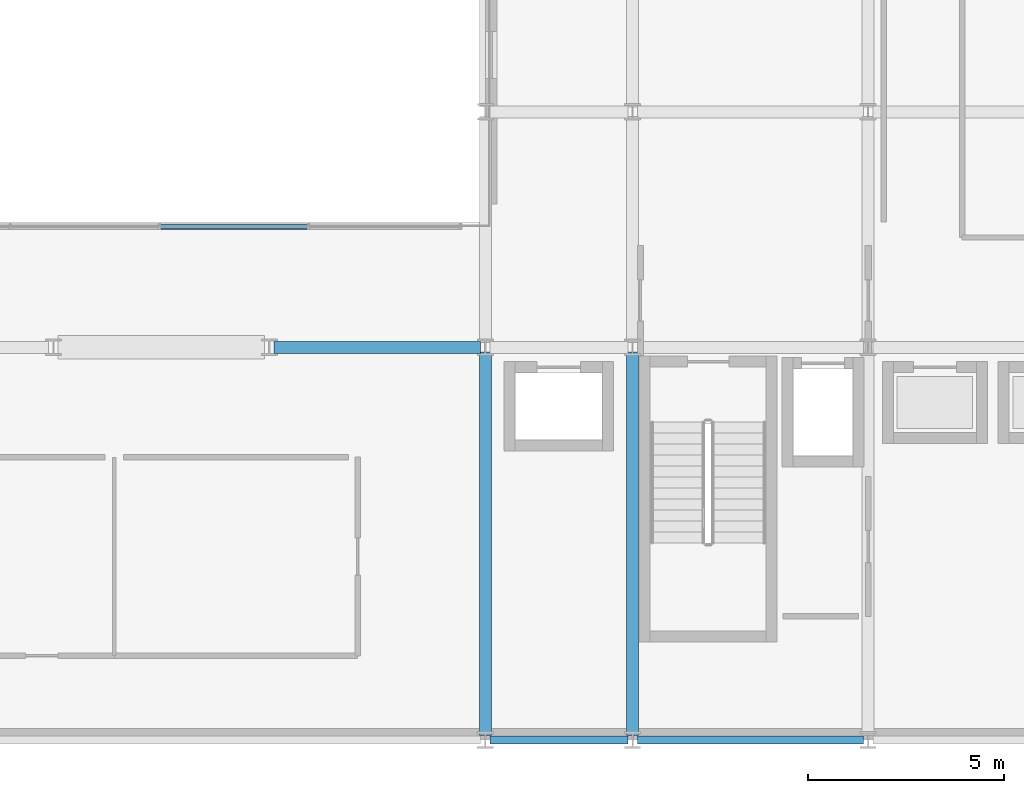
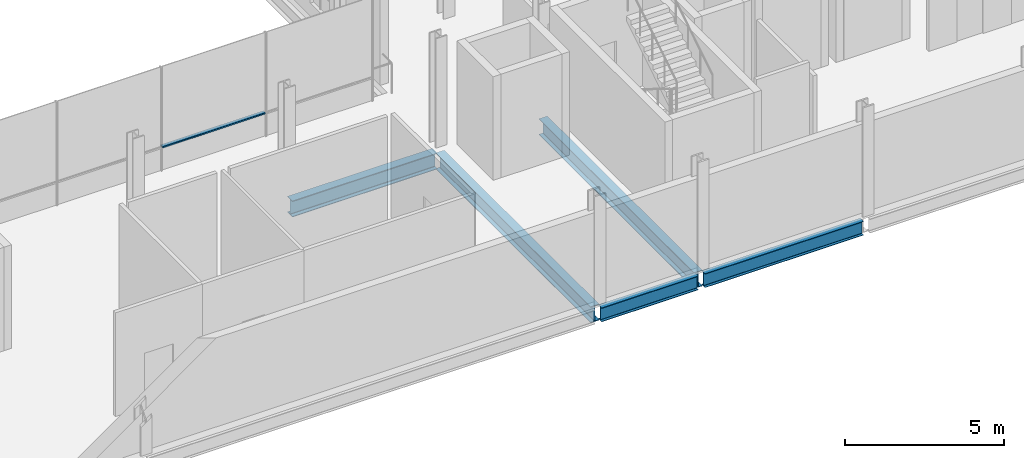
# One storey, part 12 of 32: 5 beams, 1 member, 1 element without a shape of its own.
"""IFC4 building model written with IfcOpenShell, lengths in metres."""

from ifc_helpers import new_model, si_unit, direction, frame, origin, origin_2d, place, context, subcontext, project, spatial, hollow_rectangle, i_section, extrude, material, layer, layer_set, material_profile, profile_set, type_object, element, aggregate, save


model = new_model("IFC4")

# Units and contexts
model_context = context("Model", 3, precision=1e-05, world=origin(), true_north=direction((0.0, 1.0)))
body_context = subcontext(model_context, "Body", "Model", "MODEL_VIEW")
ifc_project = project(units=[si_unit("LENGTHUNIT", "METRE"), si_unit("AREAUNIT", "SQUARE_METRE"), si_unit("VOLUMEUNIT", "CUBIC_METRE"), si_unit("PLANEANGLEUNIT", "RADIAN"), si_unit("MASSUNIT", "GRAM", prefix="KILO")], contexts=[model_context])

# Site, building, storey
site_placement = place(None, origin())
site = spatial("IfcSite", under=ifc_project, at=site_placement, CompositionType="ELEMENT")
building_placement = place(site_placement, origin())
building = spatial("IfcBuilding", under=site, at=building_placement, Name="Brevholm Reach", CompositionType="ELEMENT")
storey_placement = place(building_placement, frame((0.0, 0.0, 134.5)))
storey = spatial("IfcBuildingStorey", under=building, at=storey_placement, Name="L40", CompositionType="ELEMENT", Elevation=134.5)

# Beams
ifc_material_1 = material(Name="Structural Steel S355J2", Category="steel")
ifc_material_profile_1 = material_profile(ifc_material_1, i_section(OverallWidth=0.210693359375, OverallDepth=0.53955078125, WebThickness=0.01171875, FlangeThickness=0.018798828125, FilletRadius=0.0126953125, at=origin_2d()), Name="UKB 533x210x109")
ifc_profile_set_1 = profile_set([ifc_material_profile_1], Name="Structural Steel S355J2")
beam_type_1 = type_object("IfcBeamType", Name="BM-SP539", PredefinedType="SPANDREL", material=ifc_profile_set_1)
beam_1_placement = place(storey_placement, frame((38.3701171875, 0.0, -0.519775390625), z_axis=(1.0, 0.0, 0.0), x_axis=(0.0, 1.0, 0.0)))
element("IfcBeam", 1, at=beam_1_placement, inside=storey, type_object=beam_type_1, Name="L40 SP-01B Framing Beam", PredefinedType="SPANDREL", context=body_context, shape_type="SweptSolid", body=[
    extrude(i_section(OverallWidth=0.210693359375, OverallDepth=0.53955078125, WebThickness=0.01171875, FlangeThickness=0.018798828125, FilletRadius=0.0126953125, at=origin_2d()), origin(), (0.0, 0.0, 1.0), 3.509765625),
])
beam_2_placement = place(storey_placement, frame((42.1201171875, 0.0, -0.519775390625), z_axis=(1.0, 0.0, 0.0), x_axis=(0.0, 1.0, 0.0)))
element("IfcBeam", 2, at=beam_2_placement, inside=storey, type_object=beam_type_1, Name="L40 SP-01B Framing Beam", PredefinedType="SPANDREL", context=body_context, shape_type="SweptSolid", body=[
    extrude(i_section(OverallWidth=0.210693359375, OverallDepth=0.53955078125, WebThickness=0.01171875, FlangeThickness=0.018798828125, FilletRadius=0.0126953125, at=origin_2d()), origin(), (0.0, 0.0, 1.0), 5.759765625),
])
ifc_material_2 = material(Name="Structural Steel S355J2", Category="steel")
ifc_material_profile_2 = material_profile(ifc_material_2, i_section(OverallWidth=0.30712890625, OverallDepth=0.6201171875, WebThickness=0.01416015625, FlangeThickness=0.023681640625, FilletRadius=0.0166015625, at=origin_2d()), Name="UKB 610x305x179")
ifc_profile_set_2 = profile_set([ifc_material_profile_2], Name="Structural Steel S355J2")
beam_type_2 = type_object("IfcBeamType", Name="BM-UKB610H", PredefinedType="USERDEFINED", material=ifc_profile_set_2)
beam_3_placement = place(storey_placement, frame((32.8701171875, 10.0, -0.56005859375), z_axis=(1.0, 0.0, 0.0), x_axis=(0.0, 1.0, 0.0)))
element("IfcBeam", 3, at=beam_3_placement, inside=storey, type_object=beam_type_2, Name="L40 G-06 Framing Beam", ObjectType="GIRDER", PredefinedType="USERDEFINED", context=body_context, shape_type="SweptSolid", body=[
    extrude(i_section(OverallWidth=0.30712890625, OverallDepth=0.6201171875, WebThickness=0.01416015625, FlangeThickness=0.023681640625, FilletRadius=0.0166015625, at=origin_2d()), origin(), (0.0, 0.0, 1.0), 5.259765625),
])
for number, where, z_axis, x_axis, name in (
    (4, (38.25, 0.1201171875, -0.56005859375), (0.0, 1.0, 0.0), (-1.0, 0.0, 0.0), "L40 G-06 Framing Beam"),
    (5, (42.0, 0.1201171875, -0.56005859375), (0.0, 1.0, 0.0), (-1.0, 0.0, 0.0), "L40 G-06 Framing Beam"),
):
    element("IfcBeam", number, at=place(storey_placement, frame(where, z_axis=z_axis, x_axis=x_axis)), inside=storey, type_object=beam_type_2, Name=name, ObjectType="GIRDER", PredefinedType="USERDEFINED", context=body_context, shape_type="SweptSolid", body=[
        extrude(i_section(OverallWidth=0.30712890625, OverallDepth=0.6201171875, WebThickness=0.01416015625, FlangeThickness=0.023681640625, FilletRadius=0.0166015625, at=origin_2d()), origin(), (0.0, 0.0, 1.0), 9.759765625),
    ])

# Curtain wall, member
ifc_material_3 = material(Name="Dark Anodised Aluminium 6063-T6 and Solar-Control Glass", Category="aluminium")
ifc_layer = layer(ifc_material_3, 0.139892578125)
ifc_layer_set = layer_set([ifc_layer], Name="Dark Anodised Aluminium 6063-T6 and Solar-Control Glass")
curtain_wall_type = type_object("IfcCurtainWallType", Name="CW-02", PredefinedType="NOTDEFINED", material=ifc_layer_set)
curtain_wall_placement = place(storey_placement, origin())
curtain_wall = element("IfcCurtainWall", 6, at=curtain_wall_placement, inside=storey, type_object=curtain_wall_type, Name="L40 Curtain Wall CW-02", PredefinedType="NOTDEFINED")
ifc_material_4 = material(Name="Dark Anodised Aluminium 6063-T6", Category="aluminium")
ifc_material_profile_3 = material_profile(ifc_material_4, hollow_rectangle(XDim=0.06005859375, YDim=0.139892578125, WallThickness=0.0048828125, InnerFilletRadius=0.0048828125, OuterFilletRadius=0.010009765625, at=origin_2d()), Name="RHS 140x60x5")
ifc_profile_set_3 = profile_set([ifc_material_profile_3], Name="Dark Anodised Aluminium 6063-T6")
member_type = type_object("IfcMemberType", Name="CWT-140", PredefinedType="NOTDEFINED", material=ifc_profile_set_3)
member_placement = place(storey_placement, frame((29.97998046875, 13.080078125, 0.89990234375), z_axis=(1.0, 0.0, 0.0), x_axis=(0.0, 0.0, 1.0)))
member = element("IfcMember", 7, at=member_placement, type_object=member_type, Name="CT-140 Transom 3.1", ObjectType="TRANSOM", PredefinedType="USERDEFINED", context=body_context, shape_type="SweptSolid", body=[
    extrude(hollow_rectangle(XDim=0.06005859375, YDim=0.139892578125, WallThickness=0.0048828125, InnerFilletRadius=0.0048828125, OuterFilletRadius=0.010009765625, at=origin_2d()), origin(), (0.0, 0.0, 1.0), 3.739990234375),
])
aggregate(curtain_wall, [member])

save(model, "model.ifc")
